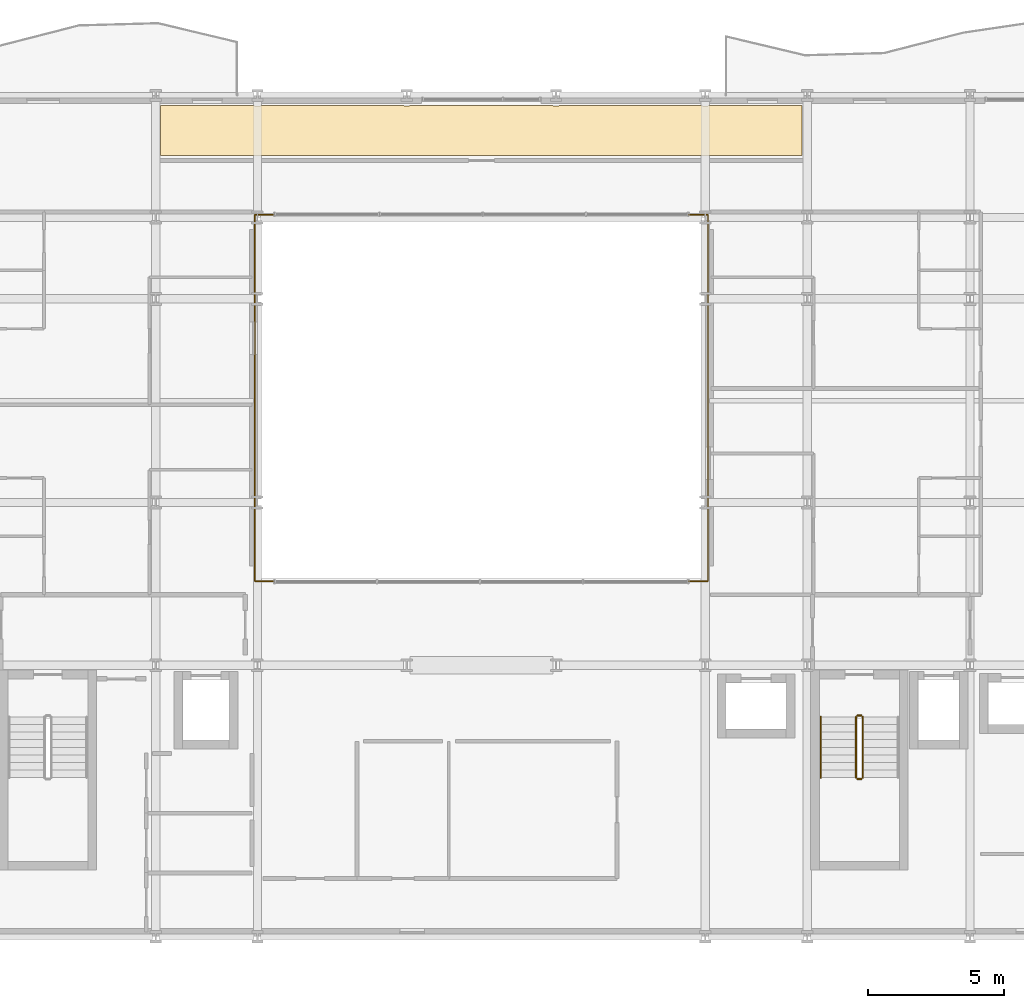
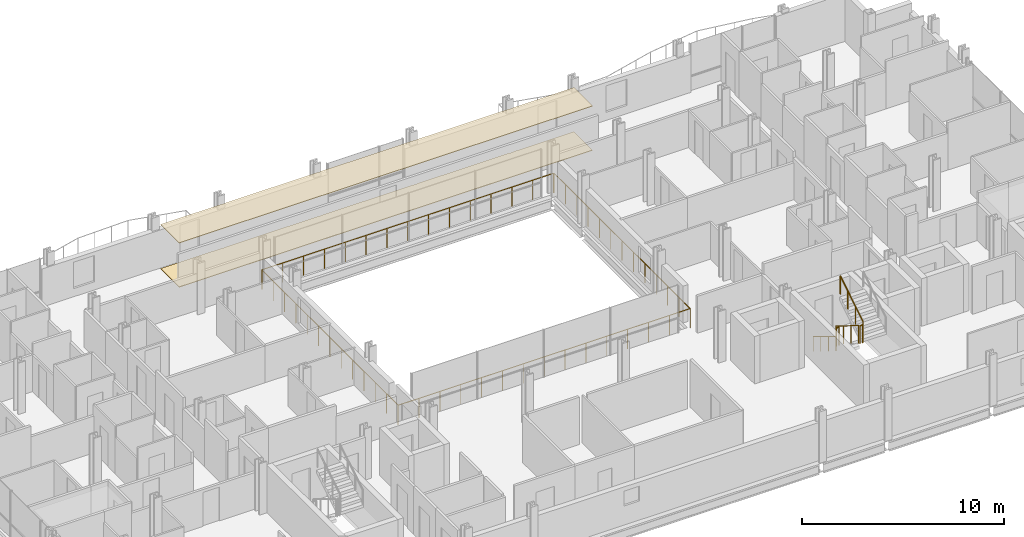
# One storey, part 39 of 40: 7 railings, 2 coverings.
"""IFC4 building model written with IfcOpenShell, lengths in metres."""

import ifcopenshell
import ifcopenshell.guid

model = None  # the IFC model being written
_history = None  # IfcOwnerHistory: only IFC2X3 demands one
_inside = {}  # id of a spatial element -> (the spatial element, [elements in it])
_under = {}  # id of a project, library or spatial element -> (it, [spatial elements below it])
_declared = {}  # id of a project -> (the project, [libraries it declares])
_typed = {}  # id of a type object -> (the type object, [elements of that type])
_made_of = {}  # id of a material, layer set ... -> (it, [elements and type objects made of it])


def new_model(schema):
    """Start an empty IFC model of exactly this schema.

    Asked for "IFC4X3", IfcOpenShell would pick the latest addendum, in which some entities
    have other attributes; the version numbers below select the first issue.
    IFC2X3 requires an IfcOwnerHistory on every rooted entity: one is made here for all.
    """
    global model, _history
    if schema == "IFC4X3":
        model = ifcopenshell.file(schema_version=(4, 3, 0, 0))
    else:
        model = ifcopenshell.file(schema=schema)
    _inside.clear()
    _under.clear()
    _declared.clear()
    _typed.clear()
    _made_of.clear()
    _history = None
    if model.schema == "IFC2X3":
        org = make("IfcOrganization", Name="unknown")
        user = make(
            "IfcPersonAndOrganization",
            ThePerson=make("IfcPerson", FamilyName="unknown"),
            TheOrganization=org,
        )
        app = make(
            "IfcApplication",
            ApplicationDeveloper=org,
            Version="unknown",
            ApplicationFullName="unknown",
            ApplicationIdentifier="unknown",
        )
        _history = make(
            "IfcOwnerHistory",
            OwningUser=user,
            OwningApplication=app,
            ChangeAction="ADDED",
            CreationDate=0,
        )
    return model


def make(cls, **values):
    """One entity of the class cls with the attributes given. An attribute that is None is left unset."""
    return model.create_entity(
        cls, **{name: value for name, value in values.items() if value is not None}
    )


def rooted(cls, **values):
    """An entity with a GlobalId (a new one), such as an element, a storey or a relation."""
    return make(cls, GlobalId=ifcopenshell.guid.new(), OwnerHistory=_history, **values)


def si_unit(unit_type, name, prefix=None):
    """IfcSIUnit, for example si_unit("LENGTHUNIT", "METRE", prefix="MILLI")."""
    return make("IfcSIUnit", UnitType=unit_type, Prefix=prefix, Name=name)


def assignment(units):
    """IfcUnitAssignment: the units of a project."""
    return None if units is None else make("IfcUnitAssignment", Units=units)


def point(xyz):
    """IfcCartesianPoint."""
    return None if xyz is None else make("IfcCartesianPoint", Coordinates=xyz)


def direction(xyz):
    """IfcDirection."""
    return None if xyz is None else make("IfcDirection", DirectionRatios=xyz)


def frame(location, z_axis=None, x_axis=None):
    """IfcAxis2Placement3D, a coordinate frame: its origin and axes. An axis left out is left unset."""
    return make(
        "IfcAxis2Placement3D",
        Location=point(location),
        Axis=direction(z_axis),
        RefDirection=direction(x_axis),
    )


def frame_2d(location, x_axis=None):
    """IfcAxis2Placement2D, a coordinate frame in the plane: its origin and x axis."""
    return make(
        "IfcAxis2Placement2D", Location=point(location), RefDirection=direction(x_axis)
    )


def origin():
    """The frame at (0, 0, 0) with its axes left unset."""
    return frame((0.0, 0.0, 0.0))


def origin_2d():
    """The frame at (0, 0) in the plane with its x axis left unset."""
    return frame_2d((0.0, 0.0))


def place(relative_to, where):
    """IfcLocalPlacement: puts the frame where relative to a parent placement (None: the world)."""
    return make(
        "IfcLocalPlacement", PlacementRelTo=relative_to, RelativePlacement=where
    )


def context(
    kind, dimensions, precision=None, world=None, true_north=None, identifier=None
):
    """IfcGeometricRepresentationContext, for example the 3D "Model" context."""
    return make(
        "IfcGeometricRepresentationContext",
        ContextIdentifier=identifier,
        ContextType=kind,
        CoordinateSpaceDimension=dimensions,
        Precision=precision,
        WorldCoordinateSystem=world,
        TrueNorth=true_north,
    )


def subcontext(parent, identifier, kind, view, scale=None):
    """IfcGeometricRepresentationSubContext, for example "Body" below "Model"."""
    return make(
        "IfcGeometricRepresentationSubContext",
        ContextIdentifier=identifier,
        ContextType=kind,
        ParentContext=parent,
        TargetScale=scale,
        TargetView=view,
    )


def project(units=None, contexts=None):
    """IfcProject with its units and contexts."""
    return rooted(
        "IfcProject",
        Name="project",
        RepresentationContexts=contexts,
        UnitsInContext=assignment(units),
    )


def spatial(cls, under=None, at=None, **own):
    """A site, building, storey or space (cls), placed at a placement, below another one or the project."""
    s = rooted(cls, ObjectPlacement=at, **own)
    if under is not None:
        _under.setdefault(under.id(), (under, []))[1].append(s)
    return s


def polyline(points):
    """IfcPolyline through the points."""
    return make("IfcPolyline", Points=[point(p) for p in points])


def profile(cls, at=None, kind="AREA", **sizes):
    """A parametric profile (cls). Its sizes go by their IFC names, for example OverallWidth=200.0."""
    return make(cls, ProfileType=kind, Position=at, **sizes)


def circle(**sizes):
    """IfcCircleProfileDef."""
    return profile("IfcCircleProfileDef", **sizes)


def outline(outer, holes=None, kind="AREA"):
    """IfcArbitraryClosedProfileDef: a profile drawn as a closed curve; with holes, ...WithVoids."""
    if holes is None:
        return make("IfcArbitraryClosedProfileDef", ProfileType=kind, OuterCurve=outer)
    return make(
        "IfcArbitraryProfileDefWithVoids",
        ProfileType=kind,
        OuterCurve=outer,
        InnerCurves=holes,
    )


def extrude(swept, where, along, depth):
    """IfcExtrudedAreaSolid: the profile swept, set in the frame where, extruded along a direction by depth."""
    return make(
        "IfcExtrudedAreaSolid",
        SweptArea=swept,
        Position=where,
        ExtrudedDirection=direction(along),
        Depth=depth,
    )


def shape(context_of_items, identifier, shape_type, items):
    """IfcShapeRepresentation: the items that make up one representation, for example the "Body"."""
    return make(
        "IfcShapeRepresentation",
        ContextOfItems=context_of_items,
        RepresentationIdentifier=identifier,
        RepresentationType=shape_type,
        Items=items,
    )


def material(Name=None, Category=None):
    """IfcMaterial."""
    return make("IfcMaterial", Name=Name, Category=Category)


def layer(
    of_material, thickness, ventilated=None, Name=None, Category=None, Priority=None
):
    """IfcMaterialLayer: one layer of a wall or slab, of a material (None: an air gap)."""
    return make(
        "IfcMaterialLayer",
        Material=of_material,
        LayerThickness=thickness,
        IsVentilated=ventilated,
        Name=Name,
        Category=Category,
        Priority=Priority,
    )


def layer_set(layers, Name=None):
    """IfcMaterialLayerSet."""
    return make("IfcMaterialLayerSet", MaterialLayers=layers, LayerSetName=Name)


def made_of(thing, what):
    """Note that an element or type object is made of a material, layer set ...; save() writes the relation."""
    if what is not None:
        _made_of.setdefault(what.id(), (what, []))[1].append(thing)
    return thing


def type_object(cls, material=None, **own):
    """A type object (cls), such as IfcWallType, which elements share."""
    return made_of(rooted(cls, **own), material)


def element(
    cls,
    number,
    at=None,
    inside=None,
    cuts=None,
    type_object=None,
    material=None,
    context=None,
    identifier="Body",
    shape_type=None,
    held_by="IfcProductDefinitionShape",
    body=None,
    shapes=None,
    **own,
):
    """One element of the class cls, such as IfcWall. Its Tag is "e" and its number.

    at: its placement. inside: the storey or other place that contains it. cuts: it is an
    opening in that element (IfcRelVoidsElement). A single representation is given by context,
    identifier, shape_type and body (its items); several are given by shapes. held_by: the class
    of the entity that holds the representations. save() writes the other relations.
    """
    e = rooted(cls, Tag="e%d" % number, ObjectPlacement=at, **own)
    if body is not None:
        shapes = [shape(context, identifier, shape_type, body)]
    if shapes is not None:
        e.Representation = make(held_by, Representations=shapes)
    if inside is not None:
        _inside.setdefault(inside.id(), (inside, []))[1].append(e)
    if cuts is not None:
        rooted(
            "IfcRelVoidsElement", RelatingBuildingElement=cuts, RelatedOpeningElement=e
        )
    if type_object is not None:
        _typed.setdefault(type_object.id(), (type_object, []))[1].append(e)
    return made_of(e, material)


def aggregate(whole, parts):
    """IfcRelAggregates: a whole, such as a stair, and the parts it consists of."""
    return rooted("IfcRelAggregates", RelatingObject=whole, RelatedObjects=parts)


def save(model, path):
    """Write the relations noted so far, then the file.

    IfcRelAggregates (storeys below a building ...), IfcRelContainedInSpatialStructure (elements
    in a storey), IfcRelDefinesByType, IfcRelAssociatesMaterial and IfcRelDeclares: one each for
    every whole, place, type object, material and project.
    """
    for whole, parts in _under.values():
        aggregate(whole, parts)
    for where, things in _inside.values():
        rooted(
            "IfcRelContainedInSpatialStructure",
            RelatedElements=things,
            RelatingStructure=where,
        )
    for kind, things in _typed.values():
        rooted("IfcRelDefinesByType", RelatedObjects=things, RelatingType=kind)
    for what, things in _made_of.values():
        rooted("IfcRelAssociatesMaterial", RelatedObjects=things, RelatingMaterial=what)
    for by, libraries in _declared.values():
        rooted("IfcRelDeclares", RelatingContext=by, RelatedDefinitions=libraries)
    model.write(path)


model = new_model("IFC4")

# Units and contexts
model_context = context("Model", 3, precision=1e-05, world=origin(), true_north=direction((0.0, 1.0)))
body_context = subcontext(model_context, "Body", "Model", "MODEL_VIEW")
ifc_project = project(units=[si_unit("LENGTHUNIT", "METRE"), si_unit("AREAUNIT", "SQUARE_METRE"), si_unit("VOLUMEUNIT", "CUBIC_METRE"), si_unit("PLANEANGLEUNIT", "RADIAN"), si_unit("MASSUNIT", "GRAM", prefix="KILO")], contexts=[model_context])

# Site, building, storey
site_placement = place(None, origin())
site = spatial("IfcSite", under=ifc_project, at=site_placement, CompositionType="ELEMENT")
building_placement = place(site_placement, origin())
building = spatial("IfcBuilding", under=site, at=building_placement, Name="Brevholm Reach", CompositionType="ELEMENT")
storey_placement = place(building_placement, frame((0.0, 0.0, 31.10009765625)))
storey = spatial("IfcBuildingStorey", under=building, at=storey_placement, Name="L07", CompositionType="ELEMENT", Elevation=31.10009765625)

# Coverings
ifc_material_1 = material(Name="Moisture-Resistant Skimmed Gypsum Plasterboard Ceiling", Category="gypsum")
ifc_layer_1 = layer(ifc_material_1, 0.030029296875)
ifc_layer_set_1 = layer_set([ifc_layer_1], Name="Moisture-Resistant Skimmed Gypsum Plasterboard Ceiling")
covering_type_1 = type_object("IfcCoveringType", Name="COV-CLG-GYP", PredefinedType="CEILING", material=ifc_layer_set_1)
covering_1_placement = place(storey_placement, frame((0.0, 0.0, 2.669921875)))
element("IfcCovering", 1, at=covering_1_placement, inside=storey, type_object=covering_type_1, Name="L07 Suspended Ceiling L07-79", PredefinedType="CEILING", context=body_context, shape_type="SweptSolid", body=[
    extrude(outline(polyline([(18.179931640625, 30.6201171875), (21.626220703125, 30.6201171875), (21.6337890625, 30.6171875), (21.672119140625, 30.607666015625), (21.710693359375, 30.601806640625), (21.75, 30.60009765625), (21.789306640625, 30.601806640625), (21.827880859375, 30.607666015625), (21.8662109375, 30.6171875), (21.873779296875, 30.6201171875), (27.126220703125, 30.6201171875), (27.1337890625, 30.6171875), (27.172119140625, 30.607666015625), (27.210693359375, 30.601806640625), (27.25, 30.60009765625), (27.289306640625, 30.601806640625), (27.327880859375, 30.607666015625), (27.3662109375, 30.6171875), (27.373779296875, 30.6201171875), (32.626220703125, 30.6201171875), (32.6337890625, 30.6171875), (32.672119140625, 30.607666015625), (32.710693359375, 30.601806640625), (32.75, 30.60009765625), (32.789306640625, 30.601806640625), (32.827880859375, 30.607666015625), (32.8662109375, 30.6171875), (32.873779296875, 30.6201171875), (38.126220703125, 30.6201171875), (38.1337890625, 30.6171875), (38.172119140625, 30.607666015625), (38.210693359375, 30.601806640625), (38.25, 30.60009765625), (38.289306640625, 30.601806640625), (38.327880859375, 30.607666015625), (38.3662109375, 30.6171875), (38.373779296875, 30.6201171875), (41.820068359375, 30.6201171875), (41.820068359375, 28.783935546875), (18.179931640625, 28.783935546875), (18.179931640625, 30.6201171875)])), origin(), (0.0, 0.0, 1.0), 0.030029296875),
])
ifc_material_2 = material(Name="Honed Portland-Aggregate Resin Terrazzo Flooring", Category="concrete")
ifc_layer_2 = layer(ifc_material_2, 0.031982421875)
ifc_layer_set_2 = layer_set([ifc_layer_2], Name="Honed Portland-Aggregate Resin Terrazzo Flooring")
covering_type_2 = type_object("IfcCoveringType", Name="COV-FLR-TRZ", PredefinedType="FLOORING", material=ifc_layer_set_2)
covering_2_placement = place(storey_placement, origin())
element("IfcCovering", 2, at=covering_2_placement, inside=storey, type_object=covering_type_2, Name="L07 Floor Finish L07-79", PredefinedType="FLOORING", context=body_context, shape_type="SweptSolid", body=[
    extrude(outline(polyline([(18.179931640625, 30.6201171875), (21.626220703125, 30.6201171875), (21.6337890625, 30.6171875), (21.672119140625, 30.607666015625), (21.710693359375, 30.601806640625), (21.75, 30.60009765625), (21.789306640625, 30.601806640625), (21.827880859375, 30.607666015625), (21.8662109375, 30.6171875), (21.873779296875, 30.6201171875), (27.126220703125, 30.6201171875), (27.1337890625, 30.6171875), (27.172119140625, 30.607666015625), (27.210693359375, 30.601806640625), (27.25, 30.60009765625), (27.289306640625, 30.601806640625), (27.327880859375, 30.607666015625), (27.3662109375, 30.6171875), (27.373779296875, 30.6201171875), (32.626220703125, 30.6201171875), (32.6337890625, 30.6171875), (32.672119140625, 30.607666015625), (32.710693359375, 30.601806640625), (32.75, 30.60009765625), (32.789306640625, 30.601806640625), (32.827880859375, 30.607666015625), (32.8662109375, 30.6171875), (32.873779296875, 30.6201171875), (38.126220703125, 30.6201171875), (38.1337890625, 30.6171875), (38.172119140625, 30.607666015625), (38.210693359375, 30.601806640625), (38.25, 30.60009765625), (38.289306640625, 30.601806640625), (38.327880859375, 30.607666015625), (38.3662109375, 30.6171875), (38.373779296875, 30.6201171875), (41.820068359375, 30.6201171875), (41.820068359375, 28.783935546875), (18.179931640625, 28.783935546875), (18.179931640625, 30.6201171875)])), origin(), (0.0, 0.0, 1.0), 0.031982421875),
])

# Railings
ifc_material_3 = material(Name="Brushed Stainless Steel EN 1.4401 Continuous Handrail", Category="steel")
railing_type_1 = type_object("IfcRailingType", Name="RAL-HND-950", PredefinedType="HANDRAIL", material=ifc_material_3)
railing_1_placement = place(storey_placement, frame((42.5, 8.10009765625, 0.172119140625)))
element("IfcRailing", 3, at=railing_1_placement, inside=storey, type_object=railing_type_1, Name="L07 ST-2 stair handrail 1", PredefinedType="HANDRAIL", context=body_context, shape_type="SweptSolid", body=[
    extrude(circle(Radius=0.02392578125, at=origin_2d()), frame((0.0, 0.0, 0.8857421875), z_axis=(0.0, -0.85178898068, 0.523885037382), x_axis=(1.0, 0.0, 0.0)), (0.0, 0.0, 1.0), 2.629638671875),
    extrude(circle(Radius=0.02099609375, at=origin_2d()), origin(), (0.0, 0.0, 1.0), 0.86181640625),
    extrude(circle(Radius=0.02099609375, at=origin_2d()), frame((0.0, -0.74658203125, 0.459228515625)), (0.0, 0.0, 1.0), 0.86181640625),
    extrude(circle(Radius=0.02099609375, at=origin_2d()), frame((0.0, -1.493408203125, 0.91845703125)), (0.0, 0.0, 1.0), 0.86181640625),
    extrude(circle(Radius=0.02099609375, at=origin_2d()), frame((0.0, -2.239990234375, 1.377685546875)), (0.0, 0.0, 1.0), 0.86181640625),
])
ifc_material_4 = material(Name="Painted Tubular Galvanised Steel S275JR Stair Guard", Category="steel")
railing_type_2 = type_object("IfcRailingType", Name="RAL-STG-1120", PredefinedType="BALUSTRADE", material=ifc_material_4)
railing_2_placement = place(storey_placement, frame((43.800048828125, 8.10009765625, 0.172119140625)))
element("IfcRailing", 4, at=railing_2_placement, inside=storey, type_object=railing_type_2, Name="L07 ST-2 stair guard 1", PredefinedType="BALUSTRADE", context=body_context, shape_type="SweptSolid", body=[
    extrude(circle(Radius=0.02392578125, at=origin_2d()), frame((0.0, 0.0, 1.076171875), z_axis=(0.0, -0.85178898068, 0.523885037382), x_axis=(1.0, 0.0, 0.0)), (0.0, 0.0, 1.0), 2.629638671875),
    extrude(circle(Radius=0.02099609375, at=origin_2d()), origin(), (0.0, 0.0, 1.0), 1.052001953125),
    extrude(circle(Radius=0.02099609375, at=origin_2d()), frame((0.0, -0.74658203125, 0.459228515625)), (0.0, 0.0, 1.0), 1.052001953125),
    extrude(circle(Radius=0.02099609375, at=origin_2d()), frame((0.0, -1.493408203125, 0.91845703125)), (0.0, 0.0, 1.0), 1.052001953125),
    extrude(circle(Radius=0.02099609375, at=origin_2d()), frame((0.0, -2.239990234375, 1.377685546875)), (0.0, 0.0, 1.0), 1.052001953125),
])
railing_3_placement = place(storey_placement, frame((43.85009765625, 5.81005859375, 1.5498046875)))
element("IfcRailing", 5, at=railing_3_placement, inside=storey, type_object=railing_type_2, Name="L07 ST-2 stair guard 2", PredefinedType="BALUSTRADE", context=body_context, shape_type="SweptSolid", body=[
    extrude(circle(Radius=0.02392578125, at=origin_2d()), frame((0.0, 0.0, 1.076171875), z_axis=(1.0, 0.0, 0.0), x_axis=(0.0, 1.0, 0.0)), (0.0, 0.0, 1.0), 0.14990234375),
    extrude(circle(Radius=0.02099609375, at=origin_2d()), origin(), (0.0, 0.0, 1.0), 1.052001953125),
    extrude(circle(Radius=0.02099609375, at=origin_2d()), frame((0.14990234375, 0.0, 0.0)), (0.0, 0.0, 1.0), 1.052001953125),
])
railing_4_placement = place(storey_placement, frame((44.050048828125, 5.860107421875, 1.72216796875)))
element("IfcRailing", 6, at=railing_4_placement, inside=storey, type_object=railing_type_2, Name="L07 ST-2 stair guard 3", PredefinedType="BALUSTRADE", context=body_context, shape_type="SweptSolid", body=[
    extrude(circle(Radius=0.02392578125, at=origin_2d()), frame((0.0, 0.0, 1.076171875), z_axis=(0.0, 0.85178898068, 0.523885037382), x_axis=(-1.0, 0.0, 0.0)), (0.0, 0.0, 1.0), 2.629638671875),
    extrude(circle(Radius=0.02099609375, at=origin_2d()), origin(), (0.0, 0.0, 1.0), 1.052001953125),
    extrude(circle(Radius=0.02099609375, at=origin_2d()), frame((0.0, 0.74658203125, 0.459228515625)), (0.0, 0.0, 1.0), 1.052001953125),
    extrude(circle(Radius=0.02099609375, at=origin_2d()), frame((0.0, 1.493408203125, 0.91845703125)), (0.0, 0.0, 1.0), 1.052001953125),
    extrude(circle(Radius=0.02099609375, at=origin_2d()), frame((0.0, 2.239990234375, 1.377685546875)), (0.0, 0.0, 1.0), 1.052001953125),
])
railing_5_placement = place(storey_placement, frame((43.85009765625, 8.14990234375, 0.0)))
element("IfcRailing", 7, at=railing_5_placement, inside=storey, type_object=railing_type_2, Name="L07 ST-2 stair guard 4", PredefinedType="BALUSTRADE", context=body_context, shape_type="SweptSolid", body=[
    extrude(circle(Radius=0.02392578125, at=origin_2d()), frame((0.0, 0.0, 1.076171875), z_axis=(1.0, 0.0, 0.0), x_axis=(0.0, 1.0, 0.0)), (0.0, 0.0, 1.0), 0.14990234375),
    extrude(circle(Radius=0.02099609375, at=origin_2d()), origin(), (0.0, 0.0, 1.0), 1.052001953125),
    extrude(circle(Radius=0.02099609375, at=origin_2d()), frame((0.14990234375, 0.0, 0.0)), (0.0, 0.0, 1.0), 1.052001953125),
])
ifc_material_5 = material(Name="Brushed Stainless Steel EN 1.4401 and Laminated Glass", Category="steel")
railing_type_3 = type_object("IfcRailingType", Name="RAL-TERR-1200", PredefinedType="BALUSTRADE", material=ifc_material_5)
railing_6_placement = place(storey_placement, frame((21.64990234375, 13.10009765625, 0.0)))
element("IfcRailing", 8, at=railing_6_placement, inside=storey, type_object=railing_type_3, Name="L07 Guard Balustrade RAL-L07-AT-VOID-SW", PredefinedType="BALUSTRADE", context=body_context, shape_type="SweptSolid", body=[
    extrude(circle(Radius=0.02392578125, at=origin_2d()), frame((0.0, 0.0, 1.17578125), z_axis=(1.0, 0.0, 0.0), x_axis=(0.0, 1.0, 0.0)), (0.0, 0.0, 1.0), 16.7001953125),
    extrude(circle(Radius=0.02392578125, at=origin_2d()), frame((16.7001953125, 0.0, 1.17578125), z_axis=(0.0, 1.0, 0.0), x_axis=(-1.0, 0.0, 0.0)), (0.0, 0.0, 1.0), 13.47998046875),
    extrude(circle(Radius=0.02099609375, at=origin_2d()), origin(), (0.0, 0.0, 1.0), 1.15185546875),
    extrude(circle(Radius=0.02099609375, at=origin_2d()), frame((1.19287109375, 0.0, 0.0)), (0.0, 0.0, 1.0), 1.15185546875),
    extrude(circle(Radius=0.02099609375, at=origin_2d()), frame((2.3857421875, 0.0, 0.0)), (0.0, 0.0, 1.0), 1.15185546875),
    extrude(circle(Radius=0.02099609375, at=origin_2d()), frame((3.57861328125, 0.0, 0.0)), (0.0, 0.0, 1.0), 1.15185546875),
    extrude(circle(Radius=0.02099609375, at=origin_2d()), frame((4.771484375, 0.0, 0.0)), (0.0, 0.0, 1.0), 1.15185546875),
    extrude(circle(Radius=0.02099609375, at=origin_2d()), frame((5.96435546875, 0.0, 0.0)), (0.0, 0.0, 1.0), 1.15185546875),
    extrude(circle(Radius=0.02099609375, at=origin_2d()), frame((7.1572265625, 0.0, 0.0)), (0.0, 0.0, 1.0), 1.15185546875),
    extrude(circle(Radius=0.02099609375, at=origin_2d()), frame((8.35009765625, 0.0, 0.0)), (0.0, 0.0, 1.0), 1.15185546875),
    extrude(circle(Radius=0.02099609375, at=origin_2d()), frame((9.54296875, 0.0, 0.0)), (0.0, 0.0, 1.0), 1.15185546875),
    extrude(circle(Radius=0.02099609375, at=origin_2d()), frame((10.73583984375, 0.0, 0.0)), (0.0, 0.0, 1.0), 1.15185546875),
    extrude(circle(Radius=0.02099609375, at=origin_2d()), frame((11.9287109375, 0.0, 0.0)), (0.0, 0.0, 1.0), 1.15185546875),
    extrude(circle(Radius=0.02099609375, at=origin_2d()), frame((13.12158203125, 0.0, 0.0)), (0.0, 0.0, 1.0), 1.15185546875),
    extrude(circle(Radius=0.02099609375, at=origin_2d()), frame((14.314453125, 0.0, 0.0)), (0.0, 0.0, 1.0), 1.15185546875),
    extrude(circle(Radius=0.02099609375, at=origin_2d()), frame((15.50732421875, 0.0, 0.0)), (0.0, 0.0, 1.0), 1.15185546875),
    extrude(circle(Radius=0.02099609375, at=origin_2d()), frame((16.7001953125, 0.0, 0.0)), (0.0, 0.0, 1.0), 1.15185546875),
    extrude(circle(Radius=0.02099609375, at=origin_2d()), frame((16.7001953125, 1.123291015625, 0.0)), (0.0, 0.0, 1.0), 1.15185546875),
    extrude(circle(Radius=0.02099609375, at=origin_2d()), frame((16.7001953125, 2.24658203125, 0.0)), (0.0, 0.0, 1.0), 1.15185546875),
    extrude(circle(Radius=0.02099609375, at=origin_2d()), frame((16.7001953125, 3.3701171875, 0.0)), (0.0, 0.0, 1.0), 1.15185546875),
    extrude(circle(Radius=0.02099609375, at=origin_2d()), frame((16.7001953125, 4.493408203125, 0.0)), (0.0, 0.0, 1.0), 1.15185546875),
    extrude(circle(Radius=0.02099609375, at=origin_2d()), frame((16.7001953125, 5.61669921875, 0.0)), (0.0, 0.0, 1.0), 1.15185546875),
    extrude(circle(Radius=0.02099609375, at=origin_2d()), frame((16.7001953125, 6.739990234375, 0.0)), (0.0, 0.0, 1.0), 1.15185546875),
    extrude(circle(Radius=0.02099609375, at=origin_2d()), frame((16.7001953125, 7.86328125, 0.0)), (0.0, 0.0, 1.0), 1.15185546875),
    extrude(circle(Radius=0.02099609375, at=origin_2d()), frame((16.7001953125, 8.986572265625, 0.0)), (0.0, 0.0, 1.0), 1.15185546875),
    extrude(circle(Radius=0.02099609375, at=origin_2d()), frame((16.7001953125, 10.10986328125, 0.0)), (0.0, 0.0, 1.0), 1.15185546875),
    extrude(circle(Radius=0.02099609375, at=origin_2d()), frame((16.7001953125, 11.2333984375, 0.0)), (0.0, 0.0, 1.0), 1.15185546875),
    extrude(circle(Radius=0.02099609375, at=origin_2d()), frame((16.7001953125, 12.356689453125, 0.0)), (0.0, 0.0, 1.0), 1.15185546875),
    extrude(circle(Radius=0.02099609375, at=origin_2d()), frame((16.7001953125, 13.47998046875, 0.0)), (0.0, 0.0, 1.0), 1.15185546875),
])
railing_7_placement = place(storey_placement, frame((38.330078125, 26.60009765625, 0.0)))
element("IfcRailing", 9, at=railing_7_placement, inside=storey, type_object=railing_type_3, Name="L07 Guard Balustrade RAL-L07-AT-VOID-NE", PredefinedType="BALUSTRADE", context=body_context, shape_type="SweptSolid", body=[
    extrude(circle(Radius=0.02392578125, at=origin_2d()), frame((0.0, 0.0, 1.17578125), z_axis=(-1.0, 0.0, 0.0), x_axis=(0.0, -1.0, 0.0)), (0.0, 0.0, 1.0), 16.68017578125),
    extrude(circle(Radius=0.02392578125, at=origin_2d()), frame((-16.68017578125, 0.0, 1.17578125), z_axis=(0.0, -1.0, 0.0), x_axis=(1.0, 0.0, 0.0)), (0.0, 0.0, 1.0), 13.47998046875),
    extrude(circle(Radius=0.02099609375, at=origin_2d()), origin(), (0.0, 0.0, 1.0), 1.15185546875),
    extrude(circle(Radius=0.02099609375, at=origin_2d()), frame((-1.19140625, 0.0, 0.0)), (0.0, 0.0, 1.0), 1.15185546875),
    extrude(circle(Radius=0.02099609375, at=origin_2d()), frame((-2.3828125, 0.0, 0.0)), (0.0, 0.0, 1.0), 1.15185546875),
    extrude(circle(Radius=0.02099609375, at=origin_2d()), frame((-3.57421875, 0.0, 0.0)), (0.0, 0.0, 1.0), 1.15185546875),
    extrude(circle(Radius=0.02099609375, at=origin_2d()), frame((-4.765869140625, 0.0, 0.0)), (0.0, 0.0, 1.0), 1.15185546875),
    extrude(circle(Radius=0.02099609375, at=origin_2d()), frame((-5.957275390625, 0.0, 0.0)), (0.0, 0.0, 1.0), 1.15185546875),
    extrude(circle(Radius=0.02099609375, at=origin_2d()), frame((-7.148681640625, 0.0, 0.0)), (0.0, 0.0, 1.0), 1.15185546875),
    extrude(circle(Radius=0.02099609375, at=origin_2d()), frame((-8.340087890625, 0.0, 0.0)), (0.0, 0.0, 1.0), 1.15185546875),
    extrude(circle(Radius=0.02099609375, at=origin_2d()), frame((-9.531494140625, 0.0, 0.0)), (0.0, 0.0, 1.0), 1.15185546875),
    extrude(circle(Radius=0.02099609375, at=origin_2d()), frame((-10.722900390625, 0.0, 0.0)), (0.0, 0.0, 1.0), 1.15185546875),
    extrude(circle(Radius=0.02099609375, at=origin_2d()), frame((-11.914306640625, 0.0, 0.0)), (0.0, 0.0, 1.0), 1.15185546875),
    extrude(circle(Radius=0.02099609375, at=origin_2d()), frame((-13.10595703125, 0.0, 0.0)), (0.0, 0.0, 1.0), 1.15185546875),
    extrude(circle(Radius=0.02099609375, at=origin_2d()), frame((-14.29736328125, 0.0, 0.0)), (0.0, 0.0, 1.0), 1.15185546875),
    extrude(circle(Radius=0.02099609375, at=origin_2d()), frame((-15.48876953125, 0.0, 0.0)), (0.0, 0.0, 1.0), 1.15185546875),
    extrude(circle(Radius=0.02099609375, at=origin_2d()), frame((-16.68017578125, 0.0, 0.0)), (0.0, 0.0, 1.0), 1.15185546875),
    extrude(circle(Radius=0.02099609375, at=origin_2d()), frame((-16.68017578125, -1.123291015625, 0.0)), (0.0, 0.0, 1.0), 1.15185546875),
    extrude(circle(Radius=0.02099609375, at=origin_2d()), frame((-16.68017578125, -2.24658203125, 0.0)), (0.0, 0.0, 1.0), 1.15185546875),
    extrude(circle(Radius=0.02099609375, at=origin_2d()), frame((-16.68017578125, -3.3701171875, 0.0)), (0.0, 0.0, 1.0), 1.15185546875),
    extrude(circle(Radius=0.02099609375, at=origin_2d()), frame((-16.68017578125, -4.493408203125, 0.0)), (0.0, 0.0, 1.0), 1.15185546875),
    extrude(circle(Radius=0.02099609375, at=origin_2d()), frame((-16.68017578125, -5.61669921875, 0.0)), (0.0, 0.0, 1.0), 1.15185546875),
    extrude(circle(Radius=0.02099609375, at=origin_2d()), frame((-16.68017578125, -6.739990234375, 0.0)), (0.0, 0.0, 1.0), 1.15185546875),
    extrude(circle(Radius=0.02099609375, at=origin_2d()), frame((-16.68017578125, -7.86328125, 0.0)), (0.0, 0.0, 1.0), 1.15185546875),
    extrude(circle(Radius=0.02099609375, at=origin_2d()), frame((-16.68017578125, -8.986572265625, 0.0)), (0.0, 0.0, 1.0), 1.15185546875),
    extrude(circle(Radius=0.02099609375, at=origin_2d()), frame((-16.68017578125, -10.10986328125, 0.0)), (0.0, 0.0, 1.0), 1.15185546875),
    extrude(circle(Radius=0.02099609375, at=origin_2d()), frame((-16.68017578125, -11.2333984375, 0.0)), (0.0, 0.0, 1.0), 1.15185546875),
    extrude(circle(Radius=0.02099609375, at=origin_2d()), frame((-16.68017578125, -12.356689453125, 0.0)), (0.0, 0.0, 1.0), 1.15185546875),
    extrude(circle(Radius=0.02099609375, at=origin_2d()), frame((-16.68017578125, -13.47998046875, 0.0)), (0.0, 0.0, 1.0), 1.15185546875),
])

save(model, "model.ifc")
